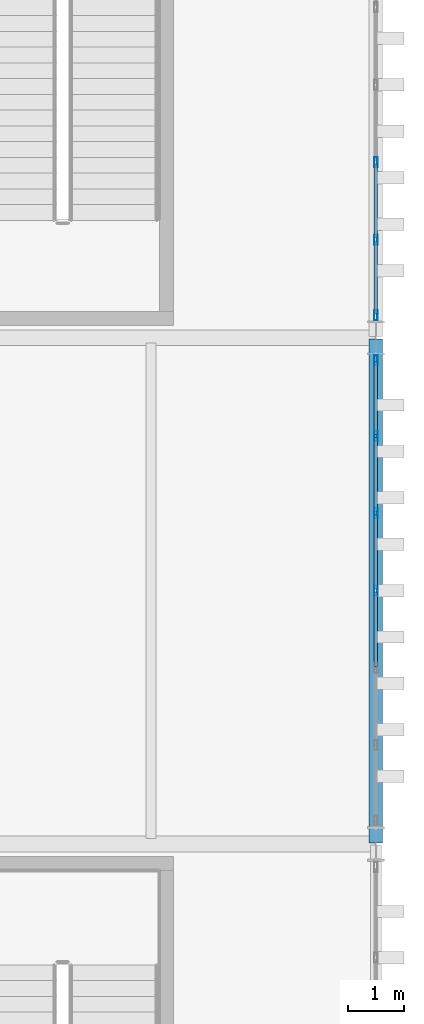
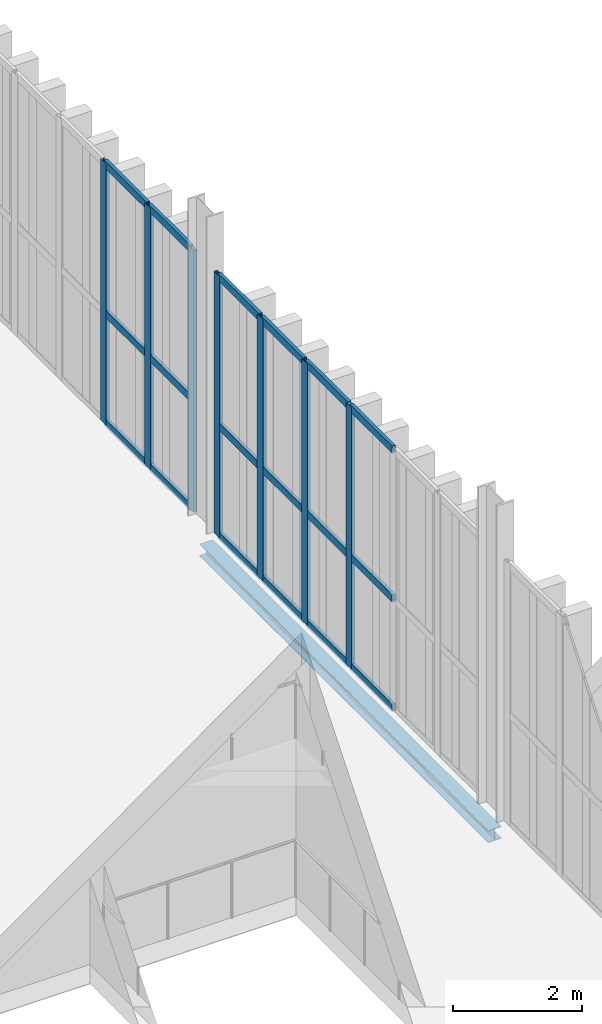
# One storey, part 129 of 211: 25 members, 1 beam, 2 elements without a shape of their own.
"""IFC4 building model written with IfcOpenShell, lengths in metres."""

from ifc_helpers import new_model, si_unit, direction, frame, origin, origin_2d, place, context, subcontext, project, spatial, hollow_rectangle, i_section, extrude, material, layer, layer_set, material_profile, profile_set, type_object, element, aggregate, save


model = new_model("IFC4")

# Units and contexts
model_context = context("Model", 3, precision=1e-05, world=origin(), true_north=direction((0.0, 1.0)))
body_context = subcontext(model_context, "Body", "Model", "MODEL_VIEW")
ifc_project = project(units=[si_unit("LENGTHUNIT", "METRE"), si_unit("AREAUNIT", "SQUARE_METRE"), si_unit("VOLUMEUNIT", "CUBIC_METRE"), si_unit("PLANEANGLEUNIT", "RADIAN"), si_unit("MASSUNIT", "GRAM", prefix="KILO")], contexts=[model_context])

# Site, building, storey
site_placement = place(None, origin())
site = spatial("IfcSite", under=ifc_project, at=site_placement, CompositionType="ELEMENT")
building_placement = place(site_placement, origin())
building = spatial("IfcBuilding", under=site, at=building_placement, Name="Barlavento Convention Centre", CompositionType="ELEMENT")
storey_placement = place(building_placement, frame((0.0, 0.0, 6.0)))
storey = spatial("IfcBuildingStorey", under=building, at=storey_placement, Name="L01", CompositionType="ELEMENT", Elevation=6.0)

# Curtain wall, members
ifc_material_1 = material(Name="Powder-coated aluminium and Low-E glass", Category="aluminium")
ifc_layer = layer(ifc_material_1, 0.195068359375)
ifc_layer_set = layer_set([ifc_layer], Name="ARC-CW-FOY-L01")
curtain_wall_type = type_object("IfcCurtainWallType", Name="ARC-CW-FOY-L01", PredefinedType="NOTDEFINED", material=ifc_layer_set)
curtain_wall_1_placement = place(storey_placement, origin())
curtain_wall_1 = element("IfcCurtainWall", 1, at=curtain_wall_1_placement, inside=storey, type_object=curtain_wall_type, Name="L01 unitised curtain wall CW03", PredefinedType="NOTDEFINED")
ifc_material_2 = material(Name="Powder-coated aluminium", Category="aluminium")
ifc_material_profile_1 = material_profile(ifc_material_2, hollow_rectangle(XDim=0.06005859375, YDim=0.179931640625, WallThickness=0.0048828125, at=origin_2d()), Name="AL-MULL 60x180x5")
ifc_profile_set_1 = profile_set([ifc_material_profile_1], Name="Powder-coated aluminium")
member_type_1 = type_object("IfcMemberType", Name="ARC-CWM-60X180", PredefinedType="MULLION", material=ifc_profile_set_1)
member_1_placement = place(storey_placement, frame((192.0, 85.5048828125, 0.0), z_axis=(0.0, 0.0, 1.0), x_axis=(-1.0, 0.0, 0.0)))
member_1 = element("IfcMember", 2, at=member_1_placement, type_object=member_type_1, Name="CW03 mullion 4", PredefinedType="MULLION", context=body_context, shape_type="SweptSolid", body=[
    extrude(hollow_rectangle(XDim=0.06005859375, YDim=0.179931640625, WallThickness=0.0048828125, at=origin_2d()), origin(), (0.0, 0.0, 1.0), 4.949951171875),
])
member_2_placement = place(storey_placement, frame((192.0, 86.8798828125, 0.0), z_axis=(0.0, 0.0, 1.0), x_axis=(-1.0, 0.0, 0.0)))
member_2 = element("IfcMember", 3, at=member_2_placement, type_object=member_type_1, Name="CW03 mullion 5", PredefinedType="MULLION", context=body_context, shape_type="SweptSolid", body=[
    extrude(hollow_rectangle(XDim=0.06005859375, YDim=0.179931640625, WallThickness=0.0048828125, at=origin_2d()), origin(), (0.0, 0.0, 1.0), 4.949951171875),
])
member_3_placement = place(storey_placement, frame((192.0, 88.2548828125, 0.0), z_axis=(0.0, 0.0, 1.0), x_axis=(-1.0, 0.0, 0.0)))
member_3 = element("IfcMember", 4, at=member_3_placement, type_object=member_type_1, Name="CW03 mullion 6", PredefinedType="MULLION", context=body_context, shape_type="SweptSolid", body=[
    extrude(hollow_rectangle(XDim=0.06005859375, YDim=0.179931640625, WallThickness=0.0048828125, at=origin_2d()), origin(), (0.0, 0.0, 1.0), 4.949951171875),
])
member_4_placement = place(storey_placement, frame((192.0, 89.60009765625, 0.0), z_axis=(0.0, 0.0, 1.0), x_axis=(-1.0, 0.0, 0.0)))
member_4 = element("IfcMember", 5, at=member_4_placement, type_object=member_type_1, Name="CW03 mullion 7", PredefinedType="MULLION", context=body_context, shape_type="SweptSolid", body=[
    extrude(hollow_rectangle(XDim=0.06005859375, YDim=0.179931640625, WallThickness=0.0048828125, at=origin_2d()), origin(), (0.0, 0.0, 1.0), 4.949951171875),
])

curtain_wall_2_placement = place(storey_placement, origin())
curtain_wall_2 = element("IfcCurtainWall", 6, at=curtain_wall_2_placement, inside=storey, type_object=curtain_wall_type, Name="L01 unitised curtain wall CW03", PredefinedType="NOTDEFINED")
member_5_placement = place(storey_placement, frame((192.0, 90.39990234375, 0.0), z_axis=(0.0, 0.0, 1.0), x_axis=(-1.0, 0.0, 0.0)))
member_5 = element("IfcMember", 7, at=member_5_placement, type_object=member_type_1, Name="CW03 mullion 1", PredefinedType="MULLION", context=body_context, shape_type="SweptSolid", body=[
    extrude(hollow_rectangle(XDim=0.06005859375, YDim=0.179931640625, WallThickness=0.0048828125, at=origin_2d()), origin(), (0.0, 0.0, 1.0), 4.949951171875),
])
member_6_placement = place(storey_placement, frame((192.0, 91.74658203125, 0.0), z_axis=(0.0, 0.0, 1.0), x_axis=(-1.0, 0.0, 0.0)))
member_6 = element("IfcMember", 8, at=member_6_placement, type_object=member_type_1, Name="CW03 mullion 2", PredefinedType="MULLION", context=body_context, shape_type="SweptSolid", body=[
    extrude(hollow_rectangle(XDim=0.06005859375, YDim=0.179931640625, WallThickness=0.0048828125, at=origin_2d()), origin(), (0.0, 0.0, 1.0), 4.949951171875),
])
member_7_placement = place(storey_placement, frame((192.0, 93.123291015625, 0.0), z_axis=(0.0, 0.0, 1.0), x_axis=(-1.0, 0.0, 0.0)))
member_7 = element("IfcMember", 9, at=member_7_placement, type_object=member_type_1, Name="CW03 mullion 3", PredefinedType="MULLION", context=body_context, shape_type="SweptSolid", body=[
    extrude(hollow_rectangle(XDim=0.06005859375, YDim=0.179931640625, WallThickness=0.0048828125, at=origin_2d()), origin(), (0.0, 0.0, 1.0), 4.949951171875),
])

# Member
ifc_material_profile_2 = material_profile(ifc_material_2, hollow_rectangle(XDim=0.06005859375, YDim=0.139892578125, WallThickness=0.00390625, at=origin_2d()), Name="AL-TRAN 60x140x4")
ifc_profile_set_2 = profile_set([ifc_material_profile_2], Name="Powder-coated aluminium")
member_type_2 = type_object("IfcMemberType", Name="ARC-CWT-60X140", PredefinedType="USERDEFINED", material=ifc_profile_set_2)
member_8_placement = place(storey_placement, frame((192.0, 84.159912109375, 0.030029296875), z_axis=(0.0, 1.0, 0.0), x_axis=(-1.0, 0.0, 0.0)))
member_8 = element("IfcMember", 10, at=member_8_placement, type_object=member_type_2, Name="CW03 transom 3.1", ObjectType="TRANSOM", PredefinedType="USERDEFINED", context=body_context, shape_type="SweptSolid", body=[
    extrude(hollow_rectangle(XDim=0.06005859375, YDim=0.139892578125, WallThickness=0.00390625, at=origin_2d()), origin(), (0.0, 0.0, 1.0), 1.315185546875),
])

member_9_placement = place(storey_placement, frame((192.0, 84.159912109375, 2.10009765625), z_axis=(0.0, 1.0, 0.0), x_axis=(-1.0, 0.0, 0.0)))
member_9 = element("IfcMember", 11, at=member_9_placement, type_object=member_type_2, Name="CW03 transom 3.2", ObjectType="TRANSOM", PredefinedType="USERDEFINED", context=body_context, shape_type="SweptSolid", body=[
    extrude(hollow_rectangle(XDim=0.06005859375, YDim=0.139892578125, WallThickness=0.00390625, at=origin_2d()), origin(), (0.0, 0.0, 1.0), 1.315185546875),
])

member_10_placement = place(storey_placement, frame((192.0, 84.159912109375, 4.919921875), z_axis=(0.0, 1.0, 0.0), x_axis=(-1.0, 0.0, 0.0)))
member_10 = element("IfcMember", 12, at=member_10_placement, type_object=member_type_2, Name="CW03 transom 3.3", ObjectType="TRANSOM", PredefinedType="USERDEFINED", context=body_context, shape_type="SweptSolid", body=[
    extrude(hollow_rectangle(XDim=0.06005859375, YDim=0.139892578125, WallThickness=0.00390625, at=origin_2d()), origin(), (0.0, 0.0, 1.0), 1.315185546875),
])

member_11_placement = place(storey_placement, frame((192.0, 85.534912109375, 0.030029296875), z_axis=(0.0, 1.0, 0.0), x_axis=(-1.0, 0.0, 0.0)))
member_11 = element("IfcMember", 13, at=member_11_placement, type_object=member_type_2, Name="CW03 transom 4.1", ObjectType="TRANSOM", PredefinedType="USERDEFINED", context=body_context, shape_type="SweptSolid", body=[
    extrude(hollow_rectangle(XDim=0.06005859375, YDim=0.139892578125, WallThickness=0.00390625, at=origin_2d()), origin(), (0.0, 0.0, 1.0), 1.315185546875),
])

member_12_placement = place(storey_placement, frame((192.0, 85.534912109375, 2.10009765625), z_axis=(0.0, 1.0, 0.0), x_axis=(-1.0, 0.0, 0.0)))
member_12 = element("IfcMember", 14, at=member_12_placement, type_object=member_type_2, Name="CW03 transom 4.2", ObjectType="TRANSOM", PredefinedType="USERDEFINED", context=body_context, shape_type="SweptSolid", body=[
    extrude(hollow_rectangle(XDim=0.06005859375, YDim=0.139892578125, WallThickness=0.00390625, at=origin_2d()), origin(), (0.0, 0.0, 1.0), 1.315185546875),
])

member_13_placement = place(storey_placement, frame((192.0, 85.534912109375, 4.919921875), z_axis=(0.0, 1.0, 0.0), x_axis=(-1.0, 0.0, 0.0)))
member_13 = element("IfcMember", 15, at=member_13_placement, type_object=member_type_2, Name="CW03 transom 4.3", ObjectType="TRANSOM", PredefinedType="USERDEFINED", context=body_context, shape_type="SweptSolid", body=[
    extrude(hollow_rectangle(XDim=0.06005859375, YDim=0.139892578125, WallThickness=0.00390625, at=origin_2d()), origin(), (0.0, 0.0, 1.0), 1.315185546875),
])

member_14_placement = place(storey_placement, frame((192.0, 86.909912109375, 0.030029296875), z_axis=(0.0, 1.0, 0.0), x_axis=(-1.0, 0.0, 0.0)))
member_14 = element("IfcMember", 16, at=member_14_placement, type_object=member_type_2, Name="CW03 transom 5.1", ObjectType="TRANSOM", PredefinedType="USERDEFINED", context=body_context, shape_type="SweptSolid", body=[
    extrude(hollow_rectangle(XDim=0.06005859375, YDim=0.139892578125, WallThickness=0.00390625, at=origin_2d()), origin(), (0.0, 0.0, 1.0), 1.315185546875),
])

member_15_placement = place(storey_placement, frame((192.0, 86.909912109375, 2.10009765625), z_axis=(0.0, 1.0, 0.0), x_axis=(-1.0, 0.0, 0.0)))
member_15 = element("IfcMember", 17, at=member_15_placement, type_object=member_type_2, Name="CW03 transom 5.2", ObjectType="TRANSOM", PredefinedType="USERDEFINED", context=body_context, shape_type="SweptSolid", body=[
    extrude(hollow_rectangle(XDim=0.06005859375, YDim=0.139892578125, WallThickness=0.00390625, at=origin_2d()), origin(), (0.0, 0.0, 1.0), 1.315185546875),
])

member_16_placement = place(storey_placement, frame((192.0, 86.909912109375, 4.919921875), z_axis=(0.0, 1.0, 0.0), x_axis=(-1.0, 0.0, 0.0)))
member_16 = element("IfcMember", 18, at=member_16_placement, type_object=member_type_2, Name="CW03 transom 5.3", ObjectType="TRANSOM", PredefinedType="USERDEFINED", context=body_context, shape_type="SweptSolid", body=[
    extrude(hollow_rectangle(XDim=0.06005859375, YDim=0.139892578125, WallThickness=0.00390625, at=origin_2d()), origin(), (0.0, 0.0, 1.0), 1.315185546875),
])

member_17_placement = place(storey_placement, frame((192.0, 88.284912109375, 0.030029296875), z_axis=(0.0, 1.0, 0.0), x_axis=(-1.0, 0.0, 0.0)))
member_17 = element("IfcMember", 19, at=member_17_placement, type_object=member_type_2, Name="CW03 transom 6.1", ObjectType="TRANSOM", PredefinedType="USERDEFINED", context=body_context, shape_type="SweptSolid", body=[
    extrude(hollow_rectangle(XDim=0.06005859375, YDim=0.139892578125, WallThickness=0.00390625, at=origin_2d()), origin(), (0.0, 0.0, 1.0), 1.28515625),
])

member_18_placement = place(storey_placement, frame((192.0, 88.284912109375, 2.10009765625), z_axis=(0.0, 1.0, 0.0), x_axis=(-1.0, 0.0, 0.0)))
member_18 = element("IfcMember", 20, at=member_18_placement, type_object=member_type_2, Name="CW03 transom 6.2", ObjectType="TRANSOM", PredefinedType="USERDEFINED", context=body_context, shape_type="SweptSolid", body=[
    extrude(hollow_rectangle(XDim=0.06005859375, YDim=0.139892578125, WallThickness=0.00390625, at=origin_2d()), origin(), (0.0, 0.0, 1.0), 1.28515625),
])

member_19_placement = place(storey_placement, frame((192.0, 88.284912109375, 4.919921875), z_axis=(0.0, 1.0, 0.0), x_axis=(-1.0, 0.0, 0.0)))
member_19 = element("IfcMember", 21, at=member_19_placement, type_object=member_type_2, Name="CW03 transom 6.3", ObjectType="TRANSOM", PredefinedType="USERDEFINED", context=body_context, shape_type="SweptSolid", body=[
    extrude(hollow_rectangle(XDim=0.06005859375, YDim=0.139892578125, WallThickness=0.00390625, at=origin_2d()), origin(), (0.0, 0.0, 1.0), 1.28515625),
])

aggregate(curtain_wall_1, [member_1, member_2, member_3, member_4, member_8, member_9, member_10, member_11, member_12, member_13, member_14, member_15, member_16, member_17, member_18, member_19])

member_20_placement = place(storey_placement, frame((192.0, 90.429931640625, 0.030029296875), z_axis=(0.0, 1.0, 0.0), x_axis=(-1.0, 0.0, 0.0)))
member_20 = element("IfcMember", 22, at=member_20_placement, type_object=member_type_2, Name="CW03 transom 1.1", ObjectType="TRANSOM", PredefinedType="USERDEFINED", context=body_context, shape_type="SweptSolid", body=[
    extrude(hollow_rectangle(XDim=0.06005859375, YDim=0.139892578125, WallThickness=0.00390625, at=origin_2d()), origin(), (0.0, 0.0, 1.0), 1.28662109375),
])

member_21_placement = place(storey_placement, frame((192.0, 90.429931640625, 2.10009765625), z_axis=(0.0, 1.0, 0.0), x_axis=(-1.0, 0.0, 0.0)))
member_21 = element("IfcMember", 23, at=member_21_placement, type_object=member_type_2, Name="CW03 transom 1.2", ObjectType="TRANSOM", PredefinedType="USERDEFINED", context=body_context, shape_type="SweptSolid", body=[
    extrude(hollow_rectangle(XDim=0.06005859375, YDim=0.139892578125, WallThickness=0.00390625, at=origin_2d()), origin(), (0.0, 0.0, 1.0), 1.28662109375),
])

member_22_placement = place(storey_placement, frame((192.0, 90.429931640625, 4.919921875), z_axis=(0.0, 1.0, 0.0), x_axis=(-1.0, 0.0, 0.0)))
member_22 = element("IfcMember", 24, at=member_22_placement, type_object=member_type_2, Name="CW03 transom 1.3", ObjectType="TRANSOM", PredefinedType="USERDEFINED", context=body_context, shape_type="SweptSolid", body=[
    extrude(hollow_rectangle(XDim=0.06005859375, YDim=0.139892578125, WallThickness=0.00390625, at=origin_2d()), origin(), (0.0, 0.0, 1.0), 1.28662109375),
])

member_23_placement = place(storey_placement, frame((192.0, 91.776611328125, 0.030029296875), z_axis=(0.0, 1.0, 0.0), x_axis=(-1.0, 0.0, 0.0)))
member_23 = element("IfcMember", 25, at=member_23_placement, type_object=member_type_2, Name="CW03 transom 2.1", ObjectType="TRANSOM", PredefinedType="USERDEFINED", context=body_context, shape_type="SweptSolid", body=[
    extrude(hollow_rectangle(XDim=0.06005859375, YDim=0.139892578125, WallThickness=0.00390625, at=origin_2d()), origin(), (0.0, 0.0, 1.0), 1.316650390625),
])

member_24_placement = place(storey_placement, frame((192.0, 91.776611328125, 2.10009765625), z_axis=(0.0, 1.0, 0.0), x_axis=(-1.0, 0.0, 0.0)))
member_24 = element("IfcMember", 26, at=member_24_placement, type_object=member_type_2, Name="CW03 transom 2.2", ObjectType="TRANSOM", PredefinedType="USERDEFINED", context=body_context, shape_type="SweptSolid", body=[
    extrude(hollow_rectangle(XDim=0.06005859375, YDim=0.139892578125, WallThickness=0.00390625, at=origin_2d()), origin(), (0.0, 0.0, 1.0), 1.316650390625),
])

member_25_placement = place(storey_placement, frame((192.0, 91.776611328125, 4.919921875), z_axis=(0.0, 1.0, 0.0), x_axis=(-1.0, 0.0, 0.0)))
member_25 = element("IfcMember", 27, at=member_25_placement, type_object=member_type_2, Name="CW03 transom 2.3", ObjectType="TRANSOM", PredefinedType="USERDEFINED", context=body_context, shape_type="SweptSolid", body=[
    extrude(hollow_rectangle(XDim=0.06005859375, YDim=0.139892578125, WallThickness=0.00390625, at=origin_2d()), origin(), (0.0, 0.0, 1.0), 1.316650390625),
])

aggregate(curtain_wall_2, [member_5, member_6, member_7, member_20, member_21, member_22, member_23, member_24, member_25])

# Beam
ifc_material_3 = material(Name="Steel S355", Category="steel")
ifc_material_profile_3 = material_profile(ifc_material_3, i_section(OverallWidth=0.239990234375, OverallDepth=0.22998046875, WebThickness=0.007568359375, FlangeThickness=0.011962890625, FilletRadius=0.02099609375, at=origin_2d()), Name="HEA 240")
ifc_profile_set_3 = profile_set([ifc_material_profile_3], Name="Steel S355")
beam_type = type_object("IfcBeamType", Name="STR-BM-SPN-HEA240", PredefinedType="SPANDREL", material=ifc_profile_set_3)
beam_placement = place(storey_placement, frame((192.0, 81.02001953125, -0.47509765625), z_axis=(0.0, 1.0, 0.0), x_axis=(-1.0, 0.0, 0.0)))
element("IfcBeam", 28, at=beam_placement, inside=storey, type_object=beam_type, Name="L01 grid girder SP05", PredefinedType="SPANDREL", context=body_context, shape_type="SweptSolid", body=[
    extrude(i_section(OverallWidth=0.239990234375, OverallDepth=0.22998046875, WebThickness=0.007568359375, FlangeThickness=0.011962890625, FilletRadius=0.02099609375, at=origin_2d()), origin(), (0.0, 0.0, 1.0), 8.9599609375),
])

save(model, "model.ifc")
